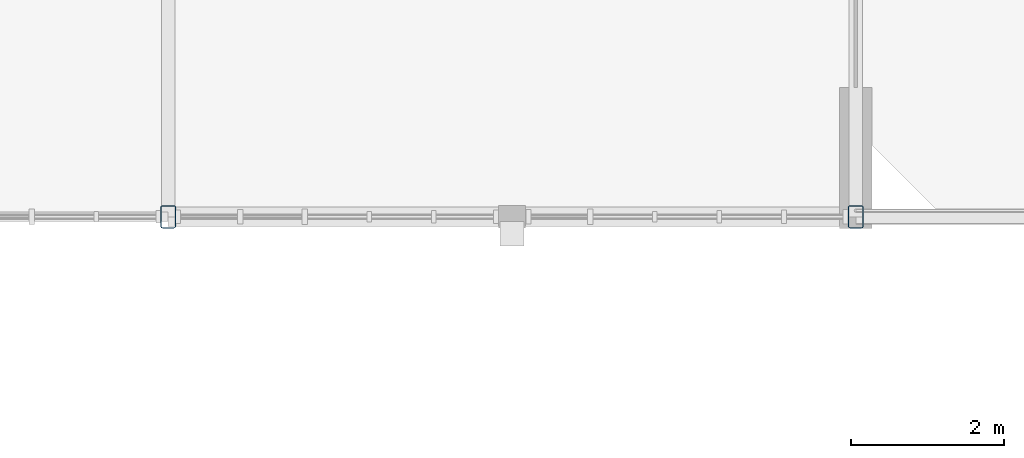
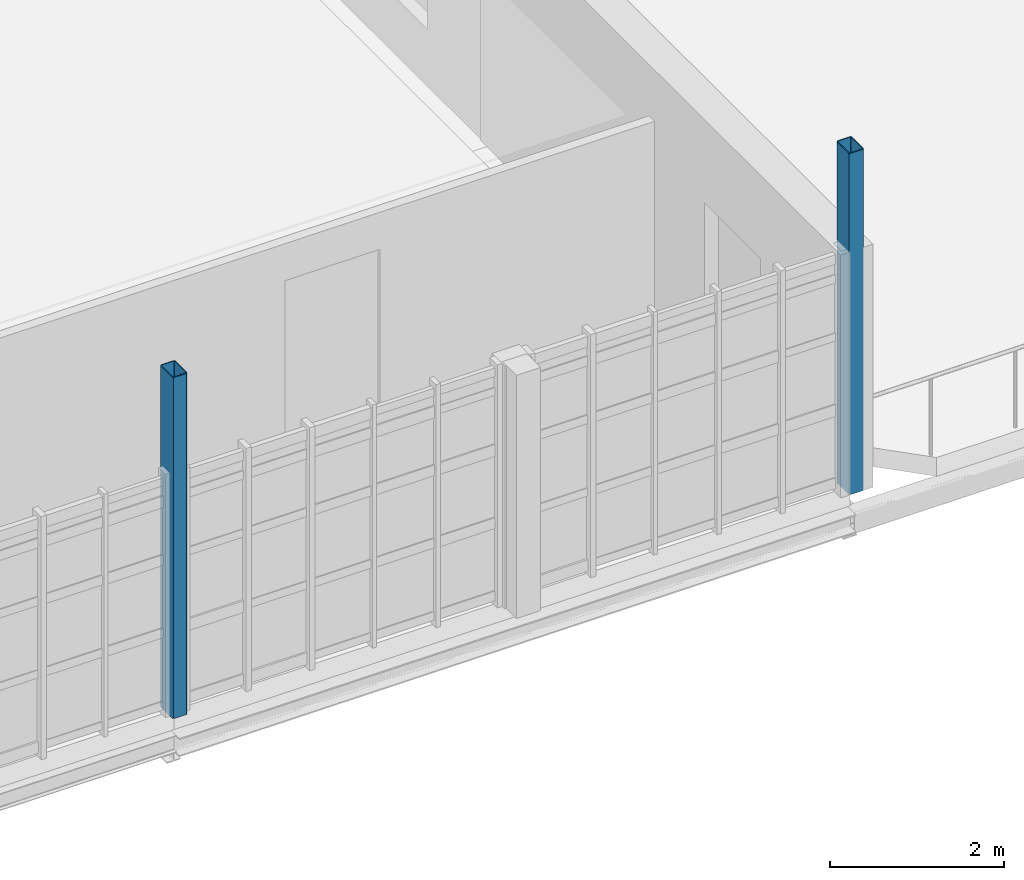
# One storey, part 6 of 128: 2 columns.
"""IFC4 building model written with IfcOpenShell, lengths in metres."""

import ifcopenshell
import ifcopenshell.guid

model = None  # the IFC model being written
_history = None  # IfcOwnerHistory: only IFC2X3 demands one
_inside = {}  # id of a spatial element -> (the spatial element, [elements in it])
_under = {}  # id of a project, library or spatial element -> (it, [spatial elements below it])
_declared = {}  # id of a project -> (the project, [libraries it declares])
_typed = {}  # id of a type object -> (the type object, [elements of that type])
_made_of = {}  # id of a material, layer set ... -> (it, [elements and type objects made of it])


def new_model(schema):
    """Start an empty IFC model of exactly this schema.

    Asked for "IFC4X3", IfcOpenShell would pick the latest addendum, in which some entities
    have other attributes; the version numbers below select the first issue.
    IFC2X3 requires an IfcOwnerHistory on every rooted entity: one is made here for all.
    """
    global model, _history
    if schema == "IFC4X3":
        model = ifcopenshell.file(schema_version=(4, 3, 0, 0))
    else:
        model = ifcopenshell.file(schema=schema)
    _inside.clear()
    _under.clear()
    _declared.clear()
    _typed.clear()
    _made_of.clear()
    _history = None
    if model.schema == "IFC2X3":
        org = make("IfcOrganization", Name="unknown")
        user = make(
            "IfcPersonAndOrganization",
            ThePerson=make("IfcPerson", FamilyName="unknown"),
            TheOrganization=org,
        )
        app = make(
            "IfcApplication",
            ApplicationDeveloper=org,
            Version="unknown",
            ApplicationFullName="unknown",
            ApplicationIdentifier="unknown",
        )
        _history = make(
            "IfcOwnerHistory",
            OwningUser=user,
            OwningApplication=app,
            ChangeAction="ADDED",
            CreationDate=0,
        )
    return model


def make(cls, **values):
    """One entity of the class cls with the attributes given. An attribute that is None is left unset."""
    return model.create_entity(
        cls, **{name: value for name, value in values.items() if value is not None}
    )


def rooted(cls, **values):
    """An entity with a GlobalId (a new one), such as an element, a storey or a relation."""
    return make(cls, GlobalId=ifcopenshell.guid.new(), OwnerHistory=_history, **values)


def si_unit(unit_type, name, prefix=None):
    """IfcSIUnit, for example si_unit("LENGTHUNIT", "METRE", prefix="MILLI")."""
    return make("IfcSIUnit", UnitType=unit_type, Prefix=prefix, Name=name)


def assignment(units):
    """IfcUnitAssignment: the units of a project."""
    return None if units is None else make("IfcUnitAssignment", Units=units)


def point(xyz):
    """IfcCartesianPoint."""
    return None if xyz is None else make("IfcCartesianPoint", Coordinates=xyz)


def direction(xyz):
    """IfcDirection."""
    return None if xyz is None else make("IfcDirection", DirectionRatios=xyz)


def frame(location, z_axis=None, x_axis=None):
    """IfcAxis2Placement3D, a coordinate frame: its origin and axes. An axis left out is left unset."""
    return make(
        "IfcAxis2Placement3D",
        Location=point(location),
        Axis=direction(z_axis),
        RefDirection=direction(x_axis),
    )


def frame_2d(location, x_axis=None):
    """IfcAxis2Placement2D, a coordinate frame in the plane: its origin and x axis."""
    return make(
        "IfcAxis2Placement2D", Location=point(location), RefDirection=direction(x_axis)
    )


def origin():
    """The frame at (0, 0, 0) with its axes left unset."""
    return frame((0.0, 0.0, 0.0))


def origin_2d():
    """The frame at (0, 0) in the plane with its x axis left unset."""
    return frame_2d((0.0, 0.0))


def place(relative_to, where):
    """IfcLocalPlacement: puts the frame where relative to a parent placement (None: the world)."""
    return make(
        "IfcLocalPlacement", PlacementRelTo=relative_to, RelativePlacement=where
    )


def context(
    kind, dimensions, precision=None, world=None, true_north=None, identifier=None
):
    """IfcGeometricRepresentationContext, for example the 3D "Model" context."""
    return make(
        "IfcGeometricRepresentationContext",
        ContextIdentifier=identifier,
        ContextType=kind,
        CoordinateSpaceDimension=dimensions,
        Precision=precision,
        WorldCoordinateSystem=world,
        TrueNorth=true_north,
    )


def subcontext(parent, identifier, kind, view, scale=None):
    """IfcGeometricRepresentationSubContext, for example "Body" below "Model"."""
    return make(
        "IfcGeometricRepresentationSubContext",
        ContextIdentifier=identifier,
        ContextType=kind,
        ParentContext=parent,
        TargetScale=scale,
        TargetView=view,
    )


def project(units=None, contexts=None):
    """IfcProject with its units and contexts."""
    return rooted(
        "IfcProject",
        Name="project",
        RepresentationContexts=contexts,
        UnitsInContext=assignment(units),
    )


def spatial(cls, under=None, at=None, **own):
    """A site, building, storey or space (cls), placed at a placement, below another one or the project."""
    s = rooted(cls, ObjectPlacement=at, **own)
    if under is not None:
        _under.setdefault(under.id(), (under, []))[1].append(s)
    return s


def profile(cls, at=None, kind="AREA", **sizes):
    """A parametric profile (cls). Its sizes go by their IFC names, for example OverallWidth=200.0."""
    return make(cls, ProfileType=kind, Position=at, **sizes)


def hollow_rectangle(**sizes):
    """IfcRectangleHollowProfileDef."""
    return profile("IfcRectangleHollowProfileDef", **sizes)


def extrude(swept, where, along, depth):
    """IfcExtrudedAreaSolid: the profile swept, set in the frame where, extruded along a direction by depth."""
    return make(
        "IfcExtrudedAreaSolid",
        SweptArea=swept,
        Position=where,
        ExtrudedDirection=direction(along),
        Depth=depth,
    )


def shape(context_of_items, identifier, shape_type, items):
    """IfcShapeRepresentation: the items that make up one representation, for example the "Body"."""
    return make(
        "IfcShapeRepresentation",
        ContextOfItems=context_of_items,
        RepresentationIdentifier=identifier,
        RepresentationType=shape_type,
        Items=items,
    )


def material(Name=None, Category=None):
    """IfcMaterial."""
    return make("IfcMaterial", Name=Name, Category=Category)


def material_profile(
    of_material, cross_section, Name=None, Category=None, Priority=None
):
    """IfcMaterialProfile: a cross section and its material."""
    return make(
        "IfcMaterialProfile",
        Name=Name,
        Material=of_material,
        Profile=cross_section,
        Priority=Priority,
        Category=Category,
    )


def profile_set(profiles, Name=None, composite=None):
    """IfcMaterialProfileSet."""
    return make(
        "IfcMaterialProfileSet",
        Name=Name,
        MaterialProfiles=profiles,
        CompositeProfile=composite,
    )


def made_of(thing, what):
    """Note that an element or type object is made of a material, layer set ...; save() writes the relation."""
    if what is not None:
        _made_of.setdefault(what.id(), (what, []))[1].append(thing)
    return thing


def type_object(cls, material=None, **own):
    """A type object (cls), such as IfcWallType, which elements share."""
    return made_of(rooted(cls, **own), material)


def element(
    cls,
    number,
    at=None,
    inside=None,
    cuts=None,
    type_object=None,
    material=None,
    context=None,
    identifier="Body",
    shape_type=None,
    held_by="IfcProductDefinitionShape",
    body=None,
    shapes=None,
    **own,
):
    """One element of the class cls, such as IfcWall. Its Tag is "e" and its number.

    at: its placement. inside: the storey or other place that contains it. cuts: it is an
    opening in that element (IfcRelVoidsElement). A single representation is given by context,
    identifier, shape_type and body (its items); several are given by shapes. held_by: the class
    of the entity that holds the representations. save() writes the other relations.
    """
    e = rooted(cls, Tag="e%d" % number, ObjectPlacement=at, **own)
    if body is not None:
        shapes = [shape(context, identifier, shape_type, body)]
    if shapes is not None:
        e.Representation = make(held_by, Representations=shapes)
    if inside is not None:
        _inside.setdefault(inside.id(), (inside, []))[1].append(e)
    if cuts is not None:
        rooted(
            "IfcRelVoidsElement", RelatingBuildingElement=cuts, RelatedOpeningElement=e
        )
    if type_object is not None:
        _typed.setdefault(type_object.id(), (type_object, []))[1].append(e)
    return made_of(e, material)


def aggregate(whole, parts):
    """IfcRelAggregates: a whole, such as a stair, and the parts it consists of."""
    return rooted("IfcRelAggregates", RelatingObject=whole, RelatedObjects=parts)


def save(model, path):
    """Write the relations noted so far, then the file.

    IfcRelAggregates (storeys below a building ...), IfcRelContainedInSpatialStructure (elements
    in a storey), IfcRelDefinesByType, IfcRelAssociatesMaterial and IfcRelDeclares: one each for
    every whole, place, type object, material and project.
    """
    for whole, parts in _under.values():
        aggregate(whole, parts)
    for where, things in _inside.values():
        rooted(
            "IfcRelContainedInSpatialStructure",
            RelatedElements=things,
            RelatingStructure=where,
        )
    for kind, things in _typed.values():
        rooted("IfcRelDefinesByType", RelatedObjects=things, RelatingType=kind)
    for what, things in _made_of.values():
        rooted("IfcRelAssociatesMaterial", RelatedObjects=things, RelatingMaterial=what)
    for by, libraries in _declared.values():
        rooted("IfcRelDeclares", RelatingContext=by, RelatedDefinitions=libraries)
    model.write(path)


model = new_model("IFC4")

# Units and contexts
model_context = context("Model", 3, precision=1e-05, world=origin(), true_north=direction((0.0, 1.0)))
body_context = subcontext(model_context, "Body", "Model", "MODEL_VIEW")
ifc_project = project(units=[si_unit("LENGTHUNIT", "METRE"), si_unit("AREAUNIT", "SQUARE_METRE"), si_unit("VOLUMEUNIT", "CUBIC_METRE"), si_unit("PLANEANGLEUNIT", "RADIAN"), si_unit("MASSUNIT", "GRAM", prefix="KILO")], contexts=[model_context])

# Site, building, storey
site_placement = place(None, origin())
site = spatial("IfcSite", under=ifc_project, at=site_placement, CompositionType="ELEMENT")
building_placement = place(site_placement, origin())
building = spatial("IfcBuilding", under=site, at=building_placement, Name="Serraforn Aerial Cableway Station", CompositionType="ELEMENT")
storey_placement = place(building_placement, frame((0.0, 0.0, 9.0)))
storey = spatial("IfcBuildingStorey", under=building, at=storey_placement, Name="L02", CompositionType="ELEMENT", Elevation=9.0)

# Columns
ifc_material = material(Name="Steel S355J2", Category="steel")
ifc_material_profile = material_profile(ifc_material, hollow_rectangle(XDim=0.199951171875, YDim=0.300048828125, WallThickness=0.012451171875, InnerFilletRadius=0.012451171875, OuterFilletRadius=0.02490234375, at=origin_2d()), Name="RHS 300x200x12.5")
ifc_profile_set = profile_set([ifc_material_profile], Name="Steel S355J2")
column_type = type_object("IfcColumnType", Name="COL-ST-RHS300", PredefinedType="COLUMN", material=ifc_profile_set)
for number, where, z_axis, x_axis, name in (
    (1, (112.199951171875, 26.0, 0.0), (0.0, 0.0, 1.0), (1.0, 0.0, 0.0), "Column EL L02 15-D1"),
    (2, (121.199951171875, 26.0, 0.0), (0.0, 0.0, 1.0), (1.0, 0.0, 0.0), "Column EL L02 16-D1"),
):
    element("IfcColumn", number, at=place(storey_placement, frame(where, z_axis=z_axis, x_axis=x_axis)), inside=storey, type_object=column_type, Name=name, PredefinedType="COLUMN", context=body_context, shape_type="SweptSolid", body=[
        extrude(hollow_rectangle(XDim=0.199951171875, YDim=0.300048828125, WallThickness=0.012451171875, InnerFilletRadius=0.012451171875, OuterFilletRadius=0.02490234375, at=origin_2d()), origin(), (0.0, 0.0, 1.0), 4.800048828125),
    ])

save(model, "model.ifc")
